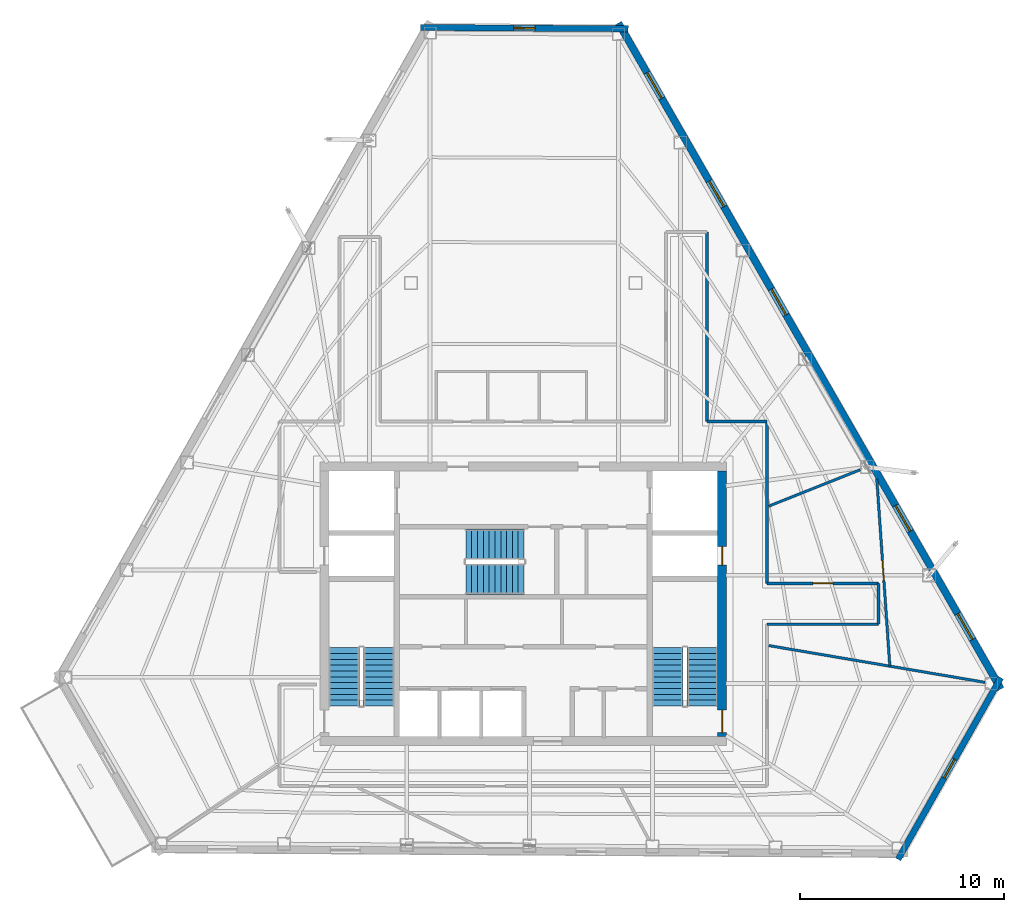
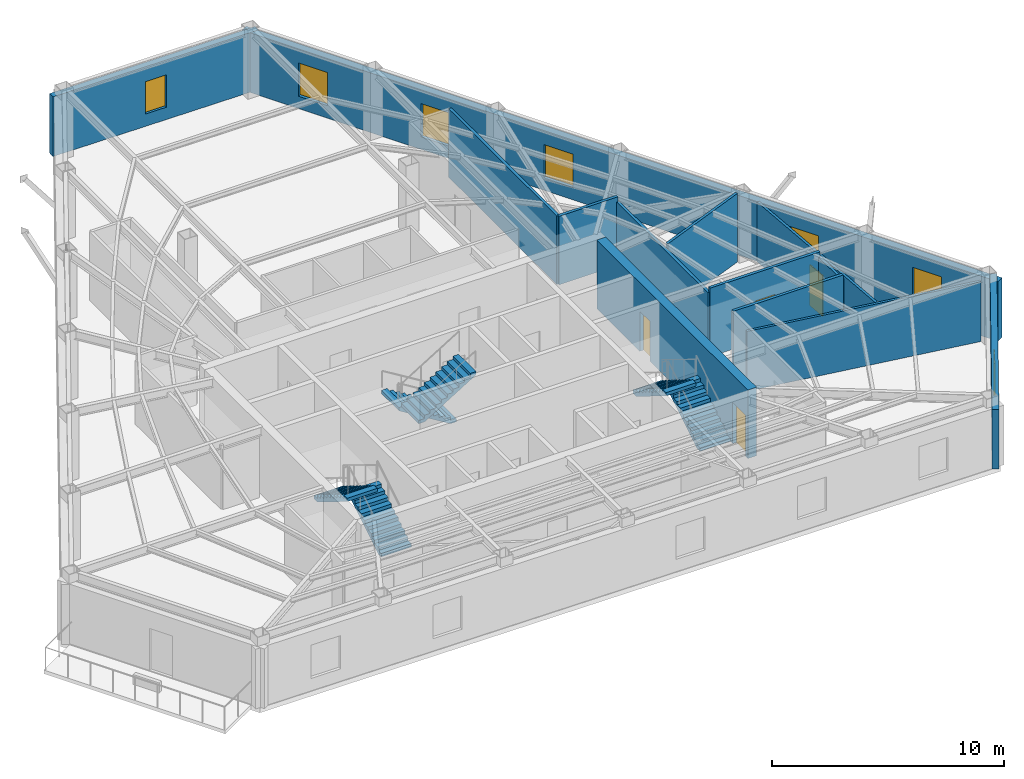
# One storey, part 9 of 11: 13 walls, 7 windows, 6 stair flights, 4 doors, 11 openings, 3 elements without a shape of their own.
"""IFC4 building model written with IfcOpenShell, lengths in metres."""

from ifc_helpers import new_model, si_unit, direction, frame, frame_2d, origin, place, context, subcontext, project, spatial, polyline, rectangle, outline, extrude, material, layer, layer_set, type_object, element, fill, aggregate, save


model = new_model("IFC4")

# Units and contexts
model_context = context("Model", 3, precision=1e-05, world=origin(), true_north=direction((0.0, 1.0)))
body_context = subcontext(model_context, "Body", "Model", "MODEL_VIEW")
ifc_project = project(units=[si_unit("LENGTHUNIT", "METRE"), si_unit("AREAUNIT", "SQUARE_METRE"), si_unit("VOLUMEUNIT", "CUBIC_METRE"), si_unit("PLANEANGLEUNIT", "RADIAN"), si_unit("MASSUNIT", "GRAM", prefix="KILO")], contexts=[model_context])

# Site, building, storey
site_placement = place(None, origin())
site = spatial("IfcSite", under=ifc_project, at=site_placement, CompositionType="ELEMENT")
building_placement = place(site_placement, origin())
building = spatial("IfcBuilding", under=site, at=building_placement, Name="Kavelnor Concourse Tower", CompositionType="ELEMENT")
storey_placement = place(building_placement, frame((0.0, 0.0, 172.699951171875)))
storey = spatial("IfcBuildingStorey", under=building, at=storey_placement, Name="L43", CompositionType="ELEMENT", Elevation=172.699951171875)

# Wall, openings, doors
ifc_material_1 = material(Name="Concrete C50/60", Category="concrete")
ifc_layer_1 = layer(ifc_material_1, 0.43994140625, Name="Concrete C50/60")
ifc_layer_set_1 = layer_set([ifc_layer_1], Name="Concrete C50/60")
wall_type_1 = type_object("IfcWallType", Name="WL-CORE-Z3-440", PredefinedType="SOLIDWALL", material=ifc_layer_set_1)
wall_1_placement = place(storey_placement, frame((47.739990234375, 9.60009765625, 0.0), z_axis=(0.0, 0.0, 1.0), x_axis=(0.0, 1.0, 0.0)))
wall_1 = element("IfcWall", 1, at=wall_1_placement, inside=storey, type_object=wall_type_1, Name="L43 Central Core East Shear Wall", PredefinedType="SOLIDWALL", context=body_context, shape_type="SweptSolid", body=[
    extrude(rectangle(XDim=13.0, YDim=0.43994140625, at=frame_2d((6.5, 0.0))), origin(), (0.0, 0.0, 1.0), 3.60009765625),
])
opening_1_placement = place(wall_1_placement, frame((0.199951171875, 0.0, 0.0)))
opening_1 = element("IfcOpeningElement", 2, at=opening_1_placement, cuts=wall_1, Name="Opening FD-110", PredefinedType="OPENING", context=body_context, shape_type="SweptSolid", body=[
    extrude(rectangle(XDim=1.10009765625, YDim=2.14990234375, at=frame_2d((0.550048828125, 1.074951171875))), frame((0.0, 0.22998046875, 0.0), z_axis=(0.0, -1.0, 0.0), x_axis=(1.0, 0.0, 0.0)), (0.0, 0.0, 1.0), 0.4599609375),
])
opening_2_placement = place(wall_1_placement, frame((8.39990234375, 0.0, 0.0)))
opening_2 = element("IfcOpeningElement", 3, at=opening_2_placement, cuts=wall_1, Name="Opening FD-090", PredefinedType="OPENING", context=body_context, shape_type="SweptSolid", body=[
    extrude(rectangle(XDim=0.89990234375, YDim=2.10009765625, at=frame_2d((0.449951171875, 1.050048828125))), frame((0.0, 0.22998046875, 0.0), z_axis=(0.0, -1.0, 0.0), x_axis=(1.0, 0.0, 0.0)), (0.0, 0.0, 1.0), 0.4599609375),
])
ifc_material_2 = material(Name="Steel Grade 350", Category="steel")
door_type_1 = type_object("IfcDoorType", Name="DR-RISER-FIRE-900", OperationType="NOTDEFINED", PredefinedType="DOOR", material=ifc_material_2)
door_1_placement = place(opening_2_placement, origin())
door_1 = element("IfcDoor", 4, at=door_1_placement, inside=storey, type_object=door_type_1, Name="L43 East Riser Access Door", OperationType="SINGLE_SWING_LEFT", OverallHeight=2.10009765625, OverallWidth=0.89990234375, PredefinedType="DOOR", context=body_context, shape_type="SweptSolid", body=[
    extrude(rectangle(XDim=0.89990234375, YDim=2.10009765625, at=frame_2d((0.449951171875, 1.050048828125))), frame((0.0, 0.02490234375, 0.0), z_axis=(0.0, -1.0, 0.0), x_axis=(1.0, 0.0, 0.0)), (0.0, 0.0, 1.0), 0.050048828125),
])
fill(opening_2, door_1)
door_type_2 = type_object("IfcDoorType", Name="DR-STAIR-FIRE-1100", OperationType="NOTDEFINED", PredefinedType="DOOR", material=ifc_material_2)
door_2_placement = place(opening_1_placement, origin())
door_2 = element("IfcDoor", 5, at=door_2_placement, inside=storey, type_object=door_type_2, Name="L43 Stair ST2 Fire Door", OperationType="SINGLE_SWING_RIGHT", OverallHeight=2.14990234375, OverallWidth=1.10009765625, PredefinedType="DOOR", context=body_context, shape_type="SweptSolid", body=[
    extrude(rectangle(XDim=1.10009765625, YDim=2.14990234375, at=frame_2d((0.550048828125, 1.074951171875))), frame((0.0, 0.02490234375, 0.0), z_axis=(0.0, -1.0, 0.0), x_axis=(1.0, 0.0, 0.0)), (0.0, 0.0, 1.0), 0.050048828125),
])
fill(opening_1, door_2)

# Wall, opening, window
ifc_material_3 = material(Name="Buff ironspot clay face brick masonry", Category="masonry")
ifc_layer_2 = layer(ifc_material_3, 0.300048828125, Name="Buff ironspot clay face brick masonry")
ifc_layer_set_2 = layer_set([ifc_layer_2], Name="Buff ironspot clay face brick masonry")
wall_type_2 = type_object("IfcWallType", Name="WL-EXT-BUFF-BRICK-FOLD-300", PredefinedType="STANDARD", material=ifc_layer_set_2)
wall_2_placement = place(storey_placement, frame((32.964599609375, 44.31591796875, 0.0), z_axis=(0.0, 0.0, 1.0), x_axis=(0.999979485486, -0.006405357643, 0.0)))
wall_2 = element("IfcWall", 6, at=wall_2_placement, inside=storey, type_object=wall_type_2, Name="L43 Exterior Brick Facade Wall E0", PredefinedType="STANDARD", context=body_context, shape_type="SweptSolid", body=[
    extrude(rectangle(XDim=10.1767578125, YDim=0.300048828125, at=frame_2d((5.08837890625, 0.0))), origin(), (0.0, 0.0, 1.0), 3.132080078125),
])
opening_3_placement = place(wall_2_placement, frame((4.5634765625, 0.0, 0.64990234375)))
opening_3 = element("IfcOpeningElement", 7, at=opening_3_placement, cuts=wall_2, Name="Opening W-06", PredefinedType="OPENING", context=body_context, shape_type="SweptSolid", body=[
    extrude(rectangle(XDim=1.050048828125, YDim=1.699951171875, at=frame_2d((0.52490234375, 0.85009765625))), frame((0.0, 0.16015625, 0.0), z_axis=(0.0, -1.0, 0.0), x_axis=(1.0, 0.0, 0.0)), (0.0, 0.0, 1.0), 0.320068359375),
])
ifc_material_4 = material(Name="Double low-E argon insulated glazing", Category="glass")
window_type_1 = type_object("IfcWindowType", Name="WIN-FOLD-1050", PartitioningType="SINGLE_PANEL", PredefinedType="WINDOW", material=ifc_material_4)
window_1_placement = place(opening_3_placement, origin())
window_1 = element("IfcWindow", 8, at=window_1_placement, inside=storey, type_object=window_type_1, Name="L43 Chamfer-Fold Facet Window C0", OverallHeight=1.699951171875, OverallWidth=1.050048828125, PartitioningType="SINGLE_PANEL", PredefinedType="WINDOW", context=body_context, shape_type="SweptSolid", body=[
    extrude(rectangle(XDim=1.050048828125, YDim=1.699951171875, at=frame_2d((0.52490234375, 0.85009765625))), frame((0.0, 0.030029296875, 0.0), z_axis=(0.0, -1.0, 0.0), x_axis=(1.0, 0.0, 0.0)), (0.0, 0.0, 1.0), 0.06005859375),
])
fill(opening_3, window_1)

wall_3_placement = place(storey_placement, frame((61.38330078125, 12.4814453125, 0.0), z_axis=(0.0, 0.0, 1.0), x_axis=(-0.492449334401, -0.87034111304, 0.0)))
wall_3 = element("IfcWall", 9, at=wall_3_placement, inside=storey, type_object=wall_type_2, Name="L43 Exterior Brick Facade Wall E4", PredefinedType="STANDARD", context=body_context, shape_type="SweptSolid", body=[
    extrude(rectangle(XDim=10.216796875, YDim=0.300048828125, at=frame_2d((5.1083984375, 0.0))), origin(), (0.0, 0.0, 1.0), 3.132080078125),
])
opening_4_placement = place(wall_3_placement, frame((4.58349609375, 0.0, 0.64990234375)))
opening_4 = element("IfcOpeningElement", 10, at=opening_4_placement, cuts=wall_3, Name="Opening W-06", PredefinedType="OPENING", context=body_context, shape_type="SweptSolid", body=[
    extrude(rectangle(XDim=1.050048828125, YDim=1.699951171875, at=frame_2d((0.52490234375, 0.85009765625))), frame((0.0, 0.16015625, 0.0), z_axis=(0.0, -1.0, 0.0), x_axis=(1.0, 0.0, 0.0)), (0.0, 0.0, 1.0), 0.320068359375),
])
window_2_placement = place(opening_4_placement, origin())
window_2 = element("IfcWindow", 11, at=window_2_placement, inside=storey, type_object=window_type_1, Name="L43 Chamfer-Fold Facet Window C2", OverallHeight=1.699951171875, OverallWidth=1.050048828125, PartitioningType="SINGLE_PANEL", PredefinedType="WINDOW", context=body_context, shape_type="SweptSolid", body=[
    extrude(rectangle(XDim=1.050048828125, YDim=1.699951171875, at=frame_2d((0.52490234375, 0.85009765625))), frame((0.0, 0.030029296875, 0.0), z_axis=(0.0, -1.0, 0.0), x_axis=(1.0, 0.0, 0.0)), (0.0, 0.0, 1.0), 0.06005859375),
])
fill(opening_4, window_2)

# Wall, openings, windows
ifc_material_5 = material(Name="Red-ochre clay face brick masonry", Category="masonry")
ifc_layer_3 = layer(ifc_material_5, 0.35009765625, Name="Red-ochre clay face brick masonry")
ifc_layer_set_3 = layer_set([ifc_layer_3], Name="Red-ochre clay face brick masonry")
wall_type_3 = type_object("IfcWallType", Name="WL-EXT-RED-BRICK-PIER-350", PredefinedType="STANDARD", material=ifc_layer_set_3)
wall_4_placement = place(storey_placement, frame((42.660888671875, 44.531005859375, 0.0), z_axis=(0.0, 0.0, 1.0), x_axis=(0.497996481168, -0.867179049991, 0.0)))
wall_4 = element("IfcWall", 12, at=wall_4_placement, inside=storey, type_object=wall_type_3, Name="L43 Exterior Brick Facade Wall E5", PredefinedType="STANDARD", context=body_context, shape_type="SweptSolid", body=[
    extrude(rectangle(XDim=37.598876953125, YDim=0.35009765625, at=frame_2d((18.79931640625, 0.0))), origin(), (0.0, 0.0, 1.0), 3.132080078125),
])
opening_5_placement = place(wall_4_placement, frame((33.34619140625, 0.0, 0.64990234375)))
opening_5 = element("IfcOpeningElement", 13, at=opening_5_placement, cuts=wall_4, Name="Opening W-03", PredefinedType="OPENING", context=body_context, shape_type="SweptSolid", body=[
    extrude(rectangle(XDim=1.449951171875, YDim=1.75, at=frame_2d((0.72509765625, 0.875))), frame((0.0, 0.18505859375, 0.0), z_axis=(0.0, -1.0, 0.0), x_axis=(1.0, 0.0, 0.0)), (0.0, 0.0, 1.0), 0.3701171875),
])
opening_6_placement = place(wall_4_placement, frame((27.23779296875, 0.0, 0.64990234375)))
opening_6 = element("IfcOpeningElement", 14, at=opening_6_placement, cuts=wall_4, Name="Opening W-03", PredefinedType="OPENING", context=body_context, shape_type="SweptSolid", body=[
    extrude(rectangle(XDim=1.449951171875, YDim=1.75, at=frame_2d((0.72509765625, 0.875))), frame((0.0, 0.18505859375, 0.0), z_axis=(0.0, -1.0, 0.0), x_axis=(1.0, 0.0, 0.0)), (0.0, 0.0, 1.0), 0.3701171875),
])
opening_7_placement = place(wall_4_placement, frame((15.021484375, 0.0, 0.64990234375)))
opening_7 = element("IfcOpeningElement", 15, at=opening_7_placement, cuts=wall_4, Name="Opening W-03", PredefinedType="OPENING", context=body_context, shape_type="SweptSolid", body=[
    extrude(rectangle(XDim=1.449951171875, YDim=1.75, at=frame_2d((0.72509765625, 0.875))), frame((0.0, 0.18505859375, 0.0), z_axis=(0.0, -1.0, 0.0), x_axis=(1.0, 0.0, 0.0)), (0.0, 0.0, 1.0), 0.3701171875),
])
opening_8_placement = place(wall_4_placement, frame((8.9130859375, 0.0, 0.64990234375)))
opening_8 = element("IfcOpeningElement", 16, at=opening_8_placement, cuts=wall_4, Name="Opening W-03", PredefinedType="OPENING", context=body_context, shape_type="SweptSolid", body=[
    extrude(rectangle(XDim=1.449951171875, YDim=1.75, at=frame_2d((0.72509765625, 0.875))), frame((0.0, 0.18505859375, 0.0), z_axis=(0.0, -1.0, 0.0), x_axis=(1.0, 0.0, 0.0)), (0.0, 0.0, 1.0), 0.3701171875),
])
opening_9_placement = place(wall_4_placement, frame((2.804931640625, 0.0, 0.64990234375)))
opening_9 = element("IfcOpeningElement", 17, at=opening_9_placement, cuts=wall_4, Name="Opening W-03", PredefinedType="OPENING", context=body_context, shape_type="SweptSolid", body=[
    extrude(rectangle(XDim=1.449951171875, YDim=1.75, at=frame_2d((0.72509765625, 0.875))), frame((0.0, 0.18505859375, 0.0), z_axis=(0.0, -1.0, 0.0), x_axis=(1.0, 0.0, 0.0)), (0.0, 0.0, 1.0), 0.3701171875),
])
window_type_2 = type_object("IfcWindowType", Name="WIN-PIER-Z3-1500", PartitioningType="SINGLE_PANEL", PredefinedType="WINDOW", material=ifc_material_4)
window_3_placement = place(opening_5_placement, origin())
window_3 = element("IfcWindow", 18, at=window_3_placement, inside=storey, type_object=window_type_2, Name="L43 Deep-Set Brick Pier Window F2-B0", OverallHeight=1.75, OverallWidth=1.449951171875, PartitioningType="SINGLE_PANEL", PredefinedType="WINDOW", context=body_context, shape_type="SweptSolid", body=[
    extrude(rectangle(XDim=1.449951171875, YDim=1.75, at=frame_2d((0.72509765625, 0.875))), frame((0.0, 0.030029296875, 0.0), z_axis=(0.0, -1.0, 0.0), x_axis=(1.0, 0.0, 0.0)), (0.0, 0.0, 1.0), 0.06005859375),
])
fill(opening_5, window_3)
window_4_placement = place(opening_6_placement, origin())
window_4 = element("IfcWindow", 19, at=window_4_placement, inside=storey, type_object=window_type_2, Name="L43 Deep-Set Brick Pier Window F2-B1", OverallHeight=1.75, OverallWidth=1.449951171875, PartitioningType="SINGLE_PANEL", PredefinedType="WINDOW", context=body_context, shape_type="SweptSolid", body=[
    extrude(rectangle(XDim=1.449951171875, YDim=1.75, at=frame_2d((0.72509765625, 0.875))), frame((0.0, 0.030029296875, 0.0), z_axis=(0.0, -1.0, 0.0), x_axis=(1.0, 0.0, 0.0)), (0.0, 0.0, 1.0), 0.06005859375),
])
fill(opening_6, window_4)
window_5_placement = place(opening_7_placement, origin())
window_5 = element("IfcWindow", 20, at=window_5_placement, inside=storey, type_object=window_type_2, Name="L43 Deep-Set Brick Pier Window F2-B3", OverallHeight=1.75, OverallWidth=1.449951171875, PartitioningType="SINGLE_PANEL", PredefinedType="WINDOW", context=body_context, shape_type="SweptSolid", body=[
    extrude(rectangle(XDim=1.449951171875, YDim=1.75, at=frame_2d((0.72509765625, 0.875))), frame((0.0, 0.030029296875, 0.0), z_axis=(0.0, -1.0, 0.0), x_axis=(1.0, 0.0, 0.0)), (0.0, 0.0, 1.0), 0.06005859375),
])
fill(opening_7, window_5)
window_6_placement = place(opening_8_placement, origin())
window_6 = element("IfcWindow", 21, at=window_6_placement, inside=storey, type_object=window_type_2, Name="L43 Deep-Set Brick Pier Window F2-B4", OverallHeight=1.75, OverallWidth=1.449951171875, PartitioningType="SINGLE_PANEL", PredefinedType="WINDOW", context=body_context, shape_type="SweptSolid", body=[
    extrude(rectangle(XDim=1.449951171875, YDim=1.75, at=frame_2d((0.72509765625, 0.875))), frame((0.0, 0.030029296875, 0.0), z_axis=(0.0, -1.0, 0.0), x_axis=(1.0, 0.0, 0.0)), (0.0, 0.0, 1.0), 0.06005859375),
])
fill(opening_8, window_6)
window_7_placement = place(opening_9_placement, origin())
window_7 = element("IfcWindow", 22, at=window_7_placement, inside=storey, type_object=window_type_2, Name="L43 Deep-Set Brick Pier Window F2-B5", OverallHeight=1.75, OverallWidth=1.449951171875, PartitioningType="SINGLE_PANEL", PredefinedType="WINDOW", context=body_context, shape_type="SweptSolid", body=[
    extrude(rectangle(XDim=1.449951171875, YDim=1.75, at=frame_2d((0.72509765625, 0.875))), frame((0.0, 0.030029296875, 0.0), z_axis=(0.0, -1.0, 0.0), x_axis=(1.0, 0.0, 0.0)), (0.0, 0.0, 1.0), 0.06005859375),
])
fill(opening_9, window_7)

# Walls
ifc_material_6 = material(Name="Gypsum plasterboard on light-gauge steel studs", Category="steel")
ifc_layer_4 = layer(ifc_material_6, 0.14501953125, Name="Gypsum plasterboard on light-gauge steel studs")
ifc_layer_set_4 = layer_set([ifc_layer_4], Name="Gypsum plasterboard on light-gauge steel studs")
wall_type_4 = type_object("IfcWallType", Name="WL-INT-CORR-145", PredefinedType="PARTITIONING", material=ifc_layer_set_4)
wall_5_placement = place(storey_placement, frame((47.0, 34.31298828125, 0.0), z_axis=(0.0, 0.0, 1.0), x_axis=(0.0, -1.0, 0.0)))
element("IfcWall", 23, at=wall_5_placement, inside=storey, type_object=wall_type_4, Name="L43 Corridor Wall WL-L43-CR-10", PredefinedType="PARTITIONING", context=body_context, shape_type="SweptSolid", body=[
    extrude(rectangle(XDim=9.29296875, YDim=0.14501953125, at=frame_2d((4.646484375, 0.0))), origin(), (0.0, 0.0, 1.0), 3.60009765625),
])
wall_6_placement = place(storey_placement, frame((47.0, 25.02001953125, 0.0), z_axis=(0.0, 0.0, 1.0), x_axis=(1.0, 0.0, 0.0)))
element("IfcWall", 24, at=wall_6_placement, inside=storey, type_object=wall_type_4, Name="L43 Corridor Wall WL-L43-CR-11", PredefinedType="PARTITIONING", context=body_context, shape_type="SweptSolid", body=[
    extrude(rectangle(XDim=2.93994140625, YDim=0.14501953125, at=frame_2d((1.469970703125, 0.0))), origin(), (0.0, 0.0, 1.0), 3.60009765625),
])
wall_7_placement = place(storey_placement, frame((49.93994140625, 25.02001953125, 0.0), z_axis=(0.0, 0.0, 1.0), x_axis=(0.0, -1.0, 0.0)))
element("IfcWall", 25, at=wall_7_placement, inside=storey, type_object=wall_type_4, Name="L43 Corridor Wall WL-L43-CR-12", PredefinedType="PARTITIONING", context=body_context, shape_type="SweptSolid", body=[
    extrude(rectangle(XDim=7.919921875, YDim=0.14501953125, at=frame_2d((3.9599609375, 0.0))), origin(), (0.0, 0.0, 1.0), 3.339111328125),
])

# Wall, opening, door
wall_8_placement = place(storey_placement, frame((49.93994140625, 17.10009765625, 0.0), z_axis=(0.0, 0.0, 1.0), x_axis=(1.0, 0.0, 0.0)))
wall_8 = element("IfcWall", 26, at=wall_8_placement, inside=storey, type_object=wall_type_4, Name="L43 Corridor Wall WL-L43-CR-13", PredefinedType="PARTITIONING", context=body_context, shape_type="SweptSolid", body=[
    extrude(rectangle(XDim=5.4599609375, YDim=0.14501953125, at=frame_2d((2.72998046875, 0.0))), origin(), (0.0, 0.0, 1.0), 3.60009765625),
])
opening_10_placement = place(wall_8_placement, frame((2.239990234375, 0.0, 0.0)))
opening_10 = element("IfcOpeningElement", 27, at=opening_10_placement, cuts=wall_8, Name="Opening OD-098", PredefinedType="OPENING", context=body_context, shape_type="SweptSolid", body=[
    extrude(rectangle(XDim=0.97998046875, YDim=2.14990234375, at=frame_2d((0.489990234375, 1.074951171875))), frame((0.0, 0.08251953125, 0.0), z_axis=(0.0, -1.0, 0.0), x_axis=(1.0, 0.0, 0.0)), (0.0, 0.0, 1.0), 0.1650390625),
])
ifc_material_7 = material(Name="Solid-core hardwood timber", Category="wood")
door_type_3 = type_object("IfcDoorType", Name="DR-OFFICE-980", OperationType="NOTDEFINED", PredefinedType="DOOR", material=ifc_material_7)
door_3_placement = place(opening_10_placement, origin())
door_3 = element("IfcDoor", 28, at=door_3_placement, inside=storey, type_object=door_type_3, Name="L43 Client Concierge 01 Door", OperationType="SINGLE_SWING_LEFT", OverallHeight=2.14990234375, OverallWidth=0.97998046875, PredefinedType="DOOR", context=body_context, shape_type="SweptSolid", body=[
    extrude(rectangle(XDim=0.97998046875, YDim=2.14990234375, at=frame_2d((0.489990234375, 1.074951171875))), frame((0.0, 0.02490234375, 0.0), z_axis=(0.0, -1.0, 0.0), x_axis=(1.0, 0.0, 0.0)), (0.0, 0.0, 1.0), 0.050048828125),
])
fill(opening_10, door_3)

# Walls
wall_9_placement = place(storey_placement, frame((55.39990234375, 17.10009765625, 0.0), z_axis=(0.0, 0.0, 1.0), x_axis=(0.0, -1.0, 0.0)))
element("IfcWall", 29, at=wall_9_placement, inside=storey, type_object=wall_type_4, Name="L43 Corridor Wall WL-L43-CR-14", PredefinedType="PARTITIONING", context=body_context, shape_type="SweptSolid", body=[
    extrude(rectangle(XDim=2.0, YDim=0.14501953125, at=frame_2d((1.0, 0.0))), origin(), (0.0, 0.0, 1.0), 3.339111328125),
])
wall_10_placement = place(storey_placement, frame((55.39990234375, 15.10009765625, 0.0), z_axis=(0.0, 0.0, 1.0), x_axis=(-1.0, 0.0, 0.0)))
element("IfcWall", 30, at=wall_10_placement, inside=storey, type_object=wall_type_4, Name="L43 Corridor Wall WL-L43-CR-15", PredefinedType="PARTITIONING", context=body_context, shape_type="SweptSolid", body=[
    extrude(rectangle(XDim=5.4599609375, YDim=0.14501953125, at=frame_2d((2.72998046875, 0.0))), origin(), (0.0, 0.0, 1.0), 3.60009765625),
])
ifc_layer_5 = layer(ifc_material_6, 0.125, Name="Gypsum plasterboard on light-gauge steel studs")
ifc_layer_set_5 = layer_set([ifc_layer_5], Name="Gypsum plasterboard on light-gauge steel studs")
wall_type_5 = type_object("IfcWallType", Name="WL-INT-SUITE-125", PredefinedType="PARTITIONING", material=ifc_layer_set_5)
wall_11_placement = place(storey_placement, frame((50.0205078125, 20.882080078125, 0.0), z_axis=(0.0, 0.0, 1.0), x_axis=(0.929162633027, 0.369671207138, 0.0)))
element("IfcWall", 31, at=wall_11_placement, inside=storey, type_object=wall_type_5, Name="L43 Radial Suite Partition 01", PredefinedType="PARTITIONING", context=body_context, shape_type="SweptSolid", body=[
    extrude(rectangle(XDim=4.824462890625, YDim=0.125, at=frame_2d((2.412109375, 0.0))), origin(), (0.0, 0.0, 1.0), 3.60009765625),
])
wall_12_placement = place(storey_placement, frame((50.0205078125, 14.055419921875, 0.0), z_axis=(0.0, 0.0, 1.0), x_axis=(0.985839088175, -0.167694043503, 0.0)))
element("IfcWall", 32, at=wall_12_placement, inside=storey, type_object=wall_type_5, Name="L43 Radial Suite Partition 04", PredefinedType="PARTITIONING", context=body_context, shape_type="SweptSolid", body=[
    extrude(rectangle(XDim=10.738525390625, YDim=0.125, at=frame_2d((5.369140625, 0.0))), origin(), (0.0, 0.0, 1.0), 3.14111328125),
])

# Wall, opening, door
wall_13_placement = place(storey_placement, frame((55.946533203125, 13.0625, 0.0), z_axis=(0.0, 0.0, 1.0), x_axis=(-0.069486038833, 0.997582924076, 0.0)))
wall_13 = element("IfcWall", 33, at=wall_13_placement, inside=storey, type_object=wall_type_5, Name="L43 Suite Subdivision Partition 01", PredefinedType="PARTITIONING", context=body_context, shape_type="SweptSolid", body=[
    extrude(rectangle(XDim=9.163330078125, YDim=0.125, at=frame_2d((4.58154296875, 0.0))), origin(), (0.0, 0.0, 1.0), 3.135009765625),
])
opening_11_placement = place(wall_13_placement, frame((4.182861328125, 0.0, 0.0)))
opening_11 = element("IfcOpeningElement", 34, at=opening_11_placement, cuts=wall_13, Name="Opening OD-098", PredefinedType="OPENING", context=body_context, shape_type="SweptSolid", body=[
    extrude(rectangle(XDim=0.97998046875, YDim=2.14990234375, at=frame_2d((0.489990234375, 1.074951171875))), frame((0.0, 0.072509765625, 0.0), z_axis=(0.0, -1.0, 0.0), x_axis=(1.0, 0.0, 0.0)), (0.0, 0.0, 1.0), 0.14501953125),
])
door_4_placement = place(opening_11_placement, origin())
door_4 = element("IfcDoor", 35, at=door_4_placement, inside=storey, type_object=door_type_3, Name="L43 Technical Reference Library 02 Door", OperationType="SINGLE_SWING_RIGHT", OverallHeight=2.14990234375, OverallWidth=0.97998046875, PredefinedType="DOOR", context=body_context, shape_type="SweptSolid", body=[
    extrude(rectangle(XDim=0.97998046875, YDim=2.14990234375, at=frame_2d((0.489990234375, 1.074951171875))), frame((0.0, 0.02490234375, 0.0), z_axis=(0.0, -1.0, 0.0), x_axis=(1.0, 0.0, 0.0)), (0.0, 0.0, 1.0), 0.050048828125),
])
fill(opening_11, door_4)

# Stair, stair flights
ifc_material_8 = material(Name="Concrete C40/50", Category="concrete")
stair_type = type_object("IfcStairType", Name="STR-CORE-1500", PredefinedType="HALF_TURN_STAIR", material=ifc_material_8)
stair_1_placement = place(storey_placement, origin())
stair_1 = element("IfcStair", 36, at=stair_1_placement, inside=storey, type_object=stair_type, Name="L43 ST1", PredefinedType="HALF_TURN_STAIR")
stair_flight_type = type_object("IfcStairFlightType", Name="STR-FLIGHT-1500", PredefinedType="STRAIGHT", material=ifc_material_8)
stair_flight_1_placement = place(storey_placement, frame((30.929931640625, 11.10009765625, 0.0), z_axis=(0.0, 0.0, 1.0), x_axis=(0.0, 1.0, 0.0)))
stair_flight_1 = element("IfcStairFlight", 37, at=stair_flight_1_placement, type_object=stair_flight_type, Name="ST1 flight 1", NumberOfRisers=11, NumberOfTreads=10, PredefinedType="STRAIGHT", RiserHeight=0.175, TreadLength=0.285, context=body_context, shape_type="SweptSolid", body=[
    extrude(outline(polyline([(0.0, 0.0), (0.0, 0.175048828125), (0.284912109375, 0.175048828125), (0.284912109375, 0.35009765625), (0.570068359375, 0.35009765625), (0.570068359375, 0.52490234375), (0.85498046875, 0.52490234375), (0.85498046875, 0.699951171875), (1.139892578125, 0.699951171875), (1.139892578125, 0.875), (1.425048828125, 0.875), (1.425048828125, 1.050048828125), (1.7099609375, 1.050048828125), (1.7099609375, 1.22509765625), (1.9951171875, 1.22509765625), (1.9951171875, 1.39990234375), (2.280029296875, 1.39990234375), (2.280029296875, 1.574951171875), (2.56494140625, 1.574951171875), (2.56494140625, 1.75), (2.85009765625, 1.75), (2.85009765625, 1.925048828125), (2.85009765625, 1.573974609375), (0.286376953125, 0.0), (0.0, 0.0)])), frame((0.0, 0.75, 0.0), z_axis=(0.0, -1.0, 0.0), x_axis=(1.0, 0.0, 0.0)), (0.0, 0.0, 1.0), 1.5),
])
stair_flight_2_placement = place(storey_placement, frame((29.22998046875, 13.949951171875, 1.925048828125), z_axis=(0.0, 0.0, 1.0), x_axis=(0.0, -1.0, 0.0)))
stair_flight_2 = element("IfcStairFlight", 38, at=stair_flight_2_placement, type_object=stair_flight_type, Name="ST1 flight 2", NumberOfRisers=11, NumberOfTreads=10, PredefinedType="STRAIGHT", RiserHeight=0.175, TreadLength=0.285, context=body_context, shape_type="SweptSolid", body=[
    extrude(outline(polyline([(0.0, 0.0), (0.0, 0.175048828125), (0.284912109375, 0.175048828125), (0.284912109375, 0.35009765625), (0.570068359375, 0.35009765625), (0.570068359375, 0.52490234375), (0.85498046875, 0.52490234375), (0.85498046875, 0.699951171875), (1.139892578125, 0.699951171875), (1.139892578125, 0.875), (1.425048828125, 0.875), (1.425048828125, 1.050048828125), (1.7099609375, 1.050048828125), (1.7099609375, 1.22509765625), (1.9951171875, 1.22509765625), (1.9951171875, 1.39990234375), (2.280029296875, 1.39990234375), (2.280029296875, 1.574951171875), (2.56494140625, 1.574951171875), (2.56494140625, 1.75), (2.85009765625, 1.75), (2.85009765625, 1.925048828125), (2.85009765625, 1.573974609375), (0.286376953125, 0.0), (0.0, 0.0)])), frame((0.0, 0.75, 0.0), z_axis=(0.0, -1.0, 0.0), x_axis=(1.0, 0.0, 0.0)), (0.0, 0.0, 1.0), 1.5),
])
aggregate(stair_1, [stair_flight_1, stair_flight_2])

stair_2_placement = place(storey_placement, origin())
stair_2 = element("IfcStair", 39, at=stair_2_placement, inside=storey, type_object=stair_type, Name="L43 ST2", PredefinedType="HALF_TURN_STAIR")
stair_flight_3_placement = place(storey_placement, frame((46.77001953125, 11.10009765625, 0.0), z_axis=(0.0, 0.0, 1.0), x_axis=(0.0, 1.0, 0.0)))
stair_flight_3 = element("IfcStairFlight", 40, at=stair_flight_3_placement, type_object=stair_flight_type, Name="ST2 flight 1", NumberOfRisers=11, NumberOfTreads=10, PredefinedType="STRAIGHT", RiserHeight=0.175, TreadLength=0.285, context=body_context, shape_type="SweptSolid", body=[
    extrude(outline(polyline([(0.0, 0.0), (0.0, 0.175048828125), (0.284912109375, 0.175048828125), (0.284912109375, 0.35009765625), (0.570068359375, 0.35009765625), (0.570068359375, 0.52490234375), (0.85498046875, 0.52490234375), (0.85498046875, 0.699951171875), (1.139892578125, 0.699951171875), (1.139892578125, 0.875), (1.425048828125, 0.875), (1.425048828125, 1.050048828125), (1.7099609375, 1.050048828125), (1.7099609375, 1.22509765625), (1.9951171875, 1.22509765625), (1.9951171875, 1.39990234375), (2.280029296875, 1.39990234375), (2.280029296875, 1.574951171875), (2.56494140625, 1.574951171875), (2.56494140625, 1.75), (2.85009765625, 1.75), (2.85009765625, 1.925048828125), (2.85009765625, 1.573974609375), (0.286376953125, 0.0), (0.0, 0.0)])), frame((0.0, 0.75, 0.0), z_axis=(0.0, -1.0, 0.0), x_axis=(1.0, 0.0, 0.0)), (0.0, 0.0, 1.0), 1.5),
])
stair_flight_4_placement = place(storey_placement, frame((45.070068359375, 13.949951171875, 1.925048828125), z_axis=(0.0, 0.0, 1.0), x_axis=(0.0, -1.0, 0.0)))
stair_flight_4 = element("IfcStairFlight", 41, at=stair_flight_4_placement, type_object=stair_flight_type, Name="ST2 flight 2", NumberOfRisers=11, NumberOfTreads=10, PredefinedType="STRAIGHT", RiserHeight=0.175, TreadLength=0.285, context=body_context, shape_type="SweptSolid", body=[
    extrude(outline(polyline([(0.0, 0.0), (0.0, 0.175048828125), (0.284912109375, 0.175048828125), (0.284912109375, 0.35009765625), (0.570068359375, 0.35009765625), (0.570068359375, 0.52490234375), (0.85498046875, 0.52490234375), (0.85498046875, 0.699951171875), (1.139892578125, 0.699951171875), (1.139892578125, 0.875), (1.425048828125, 0.875), (1.425048828125, 1.050048828125), (1.7099609375, 1.050048828125), (1.7099609375, 1.22509765625), (1.9951171875, 1.22509765625), (1.9951171875, 1.39990234375), (2.280029296875, 1.39990234375), (2.280029296875, 1.574951171875), (2.56494140625, 1.574951171875), (2.56494140625, 1.75), (2.85009765625, 1.75), (2.85009765625, 1.925048828125), (2.85009765625, 1.573974609375), (0.286376953125, 0.0), (0.0, 0.0)])), frame((0.0, 0.75, 0.0), z_axis=(0.0, -1.0, 0.0), x_axis=(1.0, 0.0, 0.0)), (0.0, 0.0, 1.0), 1.5),
])
aggregate(stair_2, [stair_flight_3, stair_flight_4])

stair_3_placement = place(storey_placement, origin())
stair_3 = element("IfcStair", 42, at=stair_3_placement, inside=storey, type_object=stair_type, Name="L43 ST3", PredefinedType="HALF_TURN_STAIR")
stair_flight_5_placement = place(storey_placement, frame((38.0400390625, 19.010009765625, 0.0), z_axis=(0.0, 0.0, 1.0), x_axis=(-1.0, 0.0, 0.0)))
stair_flight_5 = element("IfcStairFlight", 43, at=stair_flight_5_placement, type_object=stair_flight_type, Name="ST3 flight 1", NumberOfRisers=11, NumberOfTreads=10, PredefinedType="STRAIGHT", RiserHeight=0.175, TreadLength=0.285, context=body_context, shape_type="SweptSolid", body=[
    extrude(outline(polyline([(0.0, 0.0), (0.0, 0.175048828125), (0.284912109375, 0.175048828125), (0.284912109375, 0.35009765625), (0.570068359375, 0.35009765625), (0.570068359375, 0.52490234375), (0.85498046875, 0.52490234375), (0.85498046875, 0.699951171875), (1.139892578125, 0.699951171875), (1.139892578125, 0.875), (1.425048828125, 0.875), (1.425048828125, 1.050048828125), (1.7099609375, 1.050048828125), (1.7099609375, 1.22509765625), (1.9951171875, 1.22509765625), (1.9951171875, 1.39990234375), (2.280029296875, 1.39990234375), (2.280029296875, 1.574951171875), (2.56494140625, 1.574951171875), (2.56494140625, 1.75), (2.85009765625, 1.75), (2.85009765625, 1.925048828125), (2.85009765625, 1.573974609375), (0.286376953125, 0.0), (0.0, 0.0)])), frame((0.0, 0.75, 0.0), z_axis=(0.0, -1.0, 0.0), x_axis=(1.0, 0.0, 0.0)), (0.0, 0.0, 1.0), 1.5),
])
stair_flight_6_placement = place(storey_placement, frame((35.18994140625, 17.31005859375, 1.925048828125), z_axis=(0.0, 0.0, 1.0), x_axis=(1.0, 0.0, 0.0)))
stair_flight_6 = element("IfcStairFlight", 44, at=stair_flight_6_placement, type_object=stair_flight_type, Name="ST3 flight 2", NumberOfRisers=11, NumberOfTreads=10, PredefinedType="STRAIGHT", RiserHeight=0.175, TreadLength=0.285, context=body_context, shape_type="SweptSolid", body=[
    extrude(outline(polyline([(0.0, 0.0), (0.0, 0.175048828125), (0.284912109375, 0.175048828125), (0.284912109375, 0.35009765625), (0.570068359375, 0.35009765625), (0.570068359375, 0.52490234375), (0.85498046875, 0.52490234375), (0.85498046875, 0.699951171875), (1.139892578125, 0.699951171875), (1.139892578125, 0.875), (1.425048828125, 0.875), (1.425048828125, 1.050048828125), (1.7099609375, 1.050048828125), (1.7099609375, 1.22509765625), (1.9951171875, 1.22509765625), (1.9951171875, 1.39990234375), (2.280029296875, 1.39990234375), (2.280029296875, 1.574951171875), (2.56494140625, 1.574951171875), (2.56494140625, 1.75), (2.85009765625, 1.75), (2.85009765625, 1.925048828125), (2.85009765625, 1.573974609375), (0.286376953125, 0.0), (0.0, 0.0)])), frame((0.0, 0.75, 0.0), z_axis=(0.0, -1.0, 0.0), x_axis=(1.0, 0.0, 0.0)), (0.0, 0.0, 1.0), 1.5),
])
aggregate(stair_3, [stair_flight_5, stair_flight_6])

save(model, "model.ifc")
